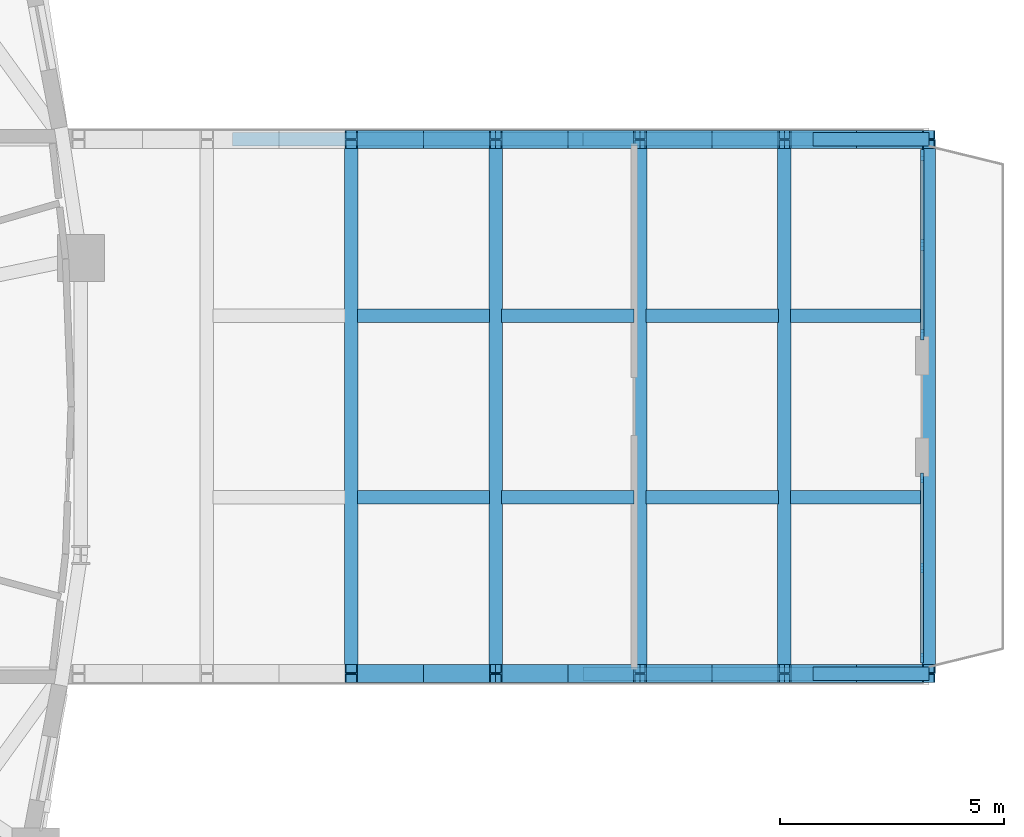
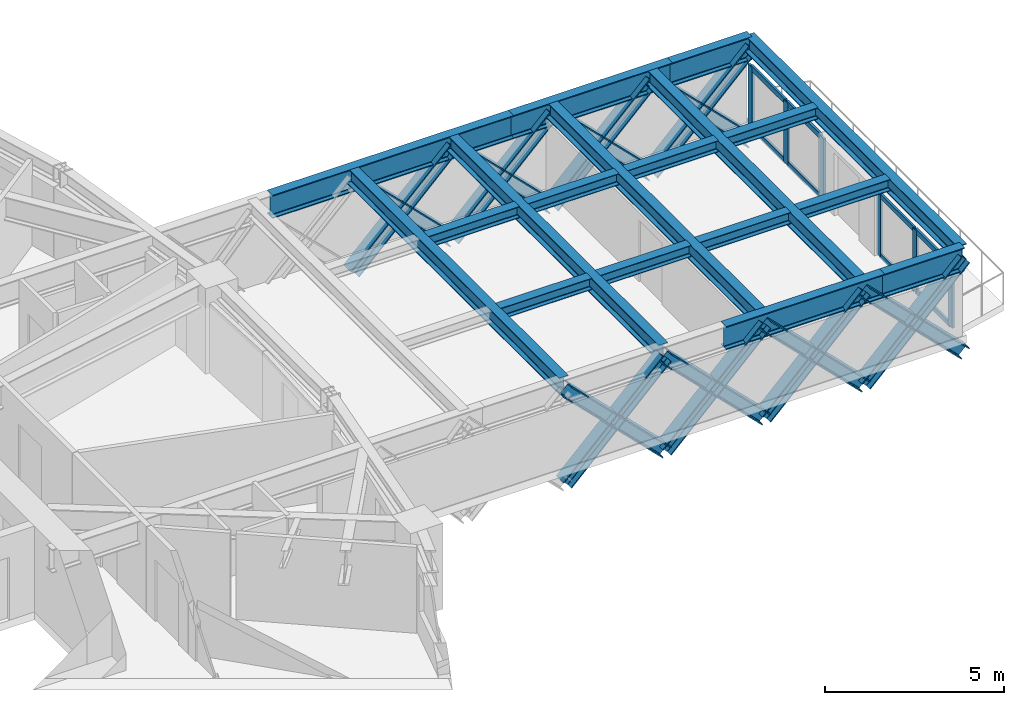
# One storey, part 2 of 16: 30 members, 18 beams, 2 elements without a shape of their own.
"""IFC4 building model written with IfcOpenShell, lengths in metres."""

from ifc_helpers import new_model, si_unit, direction, frame, origin, origin_2d, place, context, subcontext, project, spatial, rectangle, i_section, extrude, source, transform, mapped, material, layer, layer_set, material_profile, profile_set, type_object, element, aggregate, save


model = new_model("IFC4")

# Units and contexts
model_context = context("Model", 3, precision=1e-05, world=origin(), true_north=direction((0.0, 1.0)))
body_context = subcontext(model_context, "Body", "Model", "MODEL_VIEW")
ifc_project = project(units=[si_unit("LENGTHUNIT", "METRE"), si_unit("AREAUNIT", "SQUARE_METRE"), si_unit("VOLUMEUNIT", "CUBIC_METRE"), si_unit("PLANEANGLEUNIT", "RADIAN"), si_unit("MASSUNIT", "GRAM", prefix="KILO")], contexts=[model_context])

# Site, building, storey
site_placement = place(None, origin())
site = spatial("IfcSite", under=ifc_project, at=site_placement, CompositionType="ELEMENT")
building_placement = place(site_placement, origin())
building = spatial("IfcBuilding", under=site, at=building_placement, Name="Qafzar Sky-Pleat Residences", CompositionType="ELEMENT")
storey_placement = place(building_placement, frame((0.0, 0.0, 30.199951171875)))
storey = spatial("IfcBuildingStorey", under=building, at=storey_placement, Name="L08", CompositionType="ELEMENT", Elevation=30.199951171875)

# Beams
ifc_material_1 = material(Name="Steel S460", Category="steel")
ifc_material_profile_1 = material_profile(ifc_material_1, i_section(OverallWidth=0.300048828125, OverallDepth=0.800048828125, WebThickness=0.017578125, FlangeThickness=0.032958984375, FilletRadius=0.030029296875, at=origin_2d()), Name="HEB 800")
ifc_profile_set_1 = profile_set([ifc_material_profile_1], Name="Steel S460")
beam_type_1 = type_object("IfcBeamType", Name="BM-CHORD-HEB800", PredefinedType="BEAM", material=ifc_profile_set_1)
shared_shape_1 = source(origin(), body_context, "Body", "SweptSolid", [
    extrude(i_section(OverallWidth=0.300048828125, OverallDepth=0.800048828125, WebThickness=0.017578125, FlangeThickness=0.032958984375, FilletRadius=0.030029296875, at=origin_2d()), origin(), (0.0, 0.0, 1.0), 7.809814453125),
])
beam_placement = place(storey_placement, frame((49.7451171875, 31.949951171875, 2.532958984375), z_axis=(1.0, 0.0, 0.0), x_axis=(0.0, 1.0, 0.0)))
element("IfcBeam", 1, at=beam_placement, inside=storey, type_object=beam_type_1, Name="L08 SB-1 Truss Chord L2", PredefinedType="BEAM", context=body_context, shape_type="MappedRepresentation", body=[
    mapped(shared_shape_1, transform((0.0, 0.0, 0.0), x_axis=(1.0, 0.0, 0.0), y_axis=(0.0, 1.0, 0.0), z_axis=(0.0, 0.0, 1.0), scale=1.0)),
])
shared_shape_2 = source(origin(), body_context, "Body", "SweptSolid", [
    extrude(i_section(OverallWidth=0.300048828125, OverallDepth=0.800048828125, WebThickness=0.017578125, FlangeThickness=0.032958984375, FilletRadius=0.030029296875, at=origin_2d()), origin(), (0.0, 0.0, 1.0), 5.14208984375),
])
for number, where, z_axis, x_axis, name in (
    (2, (57.544921875, 31.949951171875, 2.532958984375), (1.0, 0.0, 0.0), (0.0, 1.0, 0.0), "L08 SB-1 Truss Chord L3"),
    (3, (57.544921875, 20.050048828125, 2.532958984375), (1.0, 0.0, 0.0), (0.0, 1.0, 0.0), "L08 SB-1 Truss Chord R3"),
):
    element("IfcBeam", number, at=place(storey_placement, frame(where, z_axis=z_axis, x_axis=x_axis)), inside=storey, type_object=beam_type_1, Name=name, PredefinedType="BEAM", context=body_context, shape_type="MappedRepresentation", body=[
        mapped(shared_shape_2, transform((0.0, 0.0, 0.0), x_axis=(1.0, 0.0, 0.0), y_axis=(0.0, 1.0, 0.0), z_axis=(0.0, 0.0, 1.0), scale=1.0)),
    ])
shared_shape_3 = source(origin(), body_context, "Body", "SweptSolid", [
    extrude(i_section(OverallWidth=0.300048828125, OverallDepth=0.800048828125, WebThickness=0.017578125, FlangeThickness=0.032958984375, FilletRadius=0.030029296875, at=origin_2d()), origin(), (0.0, 0.0, 1.0), 2.577392578125),
])
for number, where, z_axis, x_axis, name in (
    (4, (62.677001953125, 31.949951171875, 2.532958984375), (1.0, 0.0, 0.0), (0.0, 1.0, 0.0), "L08 SB-1 Truss Chord L4"),
    (5, (62.677001953125, 20.050048828125, 2.532958984375), (1.0, 0.0, 0.0), (0.0, 1.0, 0.0), "L08 SB-1 Truss Chord R4"),
):
    element("IfcBeam", number, at=place(storey_placement, frame(where, z_axis=z_axis, x_axis=x_axis)), inside=storey, type_object=beam_type_1, Name=name, PredefinedType="BEAM", context=body_context, shape_type="MappedRepresentation", body=[
        mapped(shared_shape_3, transform((0.0, 0.0, 0.0), x_axis=(1.0, 0.0, 0.0), y_axis=(0.0, 1.0, 0.0), z_axis=(0.0, 0.0, 1.0), scale=1.0)),
    ])

# Members
ifc_material_profile_2 = material_profile(ifc_material_1, i_section(OverallWidth=0.40087890625, OverallDepth=0.39892578125, WebThickness=0.02294921875, FlangeThickness=0.035888671875, FilletRadius=0.014892578125, at=origin_2d()), Name="HD 400x314")
ifc_profile_set_2 = profile_set([ifc_material_profile_2], Name="Steel S460")
member_type_1 = type_object("IfcMemberType", Name="MEM-SB-DIAG", PredefinedType="BRACE", material=ifc_profile_set_2)
shared_shape_4 = source(origin(), body_context, "Body", "SweptSolid", [
    extrude(i_section(OverallWidth=0.40087890625, OverallDepth=0.39892578125, WebThickness=0.02294921875, FlangeThickness=0.035888671875, FilletRadius=0.014892578125, at=origin_2d()), origin(), (0.0, 0.0, 1.0), 4.53759765625),
])
for number, where, z_axis, x_axis, name in (
    (6, (55.602294921875, 31.949951171875, -0.6669921875), (0.709014203419, 0.0, 0.705194199743), (0.0, 1.0, 0.0), "L08 SB-1 Truss Web Diagonal L4A"),
    (7, (55.602294921875, 31.949951171875, 2.532958984375), (0.709014203419, 0.0, -0.705194199743), (0.0, 1.0, 0.0), "L08 SB-1 Truss Web Diagonal L4B"),
    (8, (62.037109375, 31.949951171875, -0.6669921875), (0.709014203419, 0.0, 0.705194199743), (0.0, 1.0, 0.0), "L08 SB-1 Truss Web Diagonal L6A"),
    (9, (62.037109375, 31.949951171875, 2.532958984375), (0.709014203419, 0.0, -0.705194199743), (0.0, 1.0, 0.0), "L08 SB-1 Truss Web Diagonal L6B"),
    (10, (55.602294921875, 20.050048828125, -0.6669921875), (0.709014203419, 0.0, 0.705194199743), (0.0, 1.0, 0.0), "L08 SB-1 Truss Web Diagonal R4A"),
    (11, (55.602294921875, 20.050048828125, 2.532958984375), (0.709014203419, 0.0, -0.705194199743), (0.0, 1.0, 0.0), "L08 SB-1 Truss Web Diagonal R4B"),
    (12, (62.037109375, 20.050048828125, -0.6669921875), (0.709014203419, 0.0, 0.705194199743), (0.0, 1.0, 0.0), "L08 SB-1 Truss Web Diagonal R6A"),
    (13, (62.037109375, 20.050048828125, 2.532958984375), (0.709014203419, 0.0, -0.705194199743), (0.0, 1.0, 0.0), "L08 SB-1 Truss Web Diagonal R6B"),
):
    element("IfcMember", number, at=place(storey_placement, frame(where, z_axis=z_axis, x_axis=x_axis)), inside=storey, type_object=member_type_1, Name=name, PredefinedType="BRACE", context=body_context, shape_type="MappedRepresentation", body=[
        mapped(shared_shape_4, transform((0.0, 0.0, 0.0), x_axis=(1.0, 0.0, 0.0), y_axis=(0.0, 1.0, 0.0), z_axis=(0.0, 0.0, 1.0), scale=1.0)),
    ])
shared_shape_5 = source(origin(), body_context, "Body", "SweptSolid", [
    extrude(i_section(OverallWidth=0.40087890625, OverallDepth=0.39892578125, WebThickness=0.02294921875, FlangeThickness=0.035888671875, FilletRadius=0.014892578125, at=origin_2d()), origin(), (0.0, 0.0, 1.0), 4.537841796875),
])
for number, where, z_axis, x_axis, name in (
    (14, (52.384765625, 31.949951171875, -0.6669921875), (0.709040957993, 0.0, 0.705167299219), (0.0, 1.0, 0.0), "L08 SB-1 Truss Web Diagonal L3A"),
    (15, (52.384765625, 31.949951171875, 2.532958984375), (0.709040957993, 0.0, -0.705167299219), (0.0, 1.0, 0.0), "L08 SB-1 Truss Web Diagonal L3B"),
    (16, (58.819580078125, 31.949951171875, -0.6669921875), (0.709040957993, 0.0, 0.705167299219), (0.0, 1.0, 0.0), "L08 SB-1 Truss Web Diagonal L5A"),
    (17, (58.819580078125, 31.949951171875, 2.532958984375), (0.709040957993, 0.0, -0.705167299219), (0.0, 1.0, 0.0), "L08 SB-1 Truss Web Diagonal L5B"),
    (18, (52.384765625, 20.050048828125, -0.6669921875), (0.709040957993, 0.0, 0.705167299219), (0.0, 1.0, 0.0), "L08 SB-1 Truss Web Diagonal R3A"),
    (19, (52.384765625, 20.050048828125, 2.532958984375), (0.709040957993, 0.0, -0.705167299219), (0.0, 1.0, 0.0), "L08 SB-1 Truss Web Diagonal R3B"),
    (20, (58.819580078125, 20.050048828125, -0.6669921875), (0.709040957993, 0.0, 0.705167299219), (0.0, 1.0, 0.0), "L08 SB-1 Truss Web Diagonal R5A"),
    (21, (58.819580078125, 20.050048828125, 2.532958984375), (0.709040957993, 0.0, -0.705167299219), (0.0, 1.0, 0.0), "L08 SB-1 Truss Web Diagonal R5B"),
):
    element("IfcMember", number, at=place(storey_placement, frame(where, z_axis=z_axis, x_axis=x_axis)), inside=storey, type_object=member_type_1, Name=name, PredefinedType="BRACE", context=body_context, shape_type="MappedRepresentation", body=[
        mapped(shared_shape_5, transform((0.0, 0.0, 0.0), x_axis=(1.0, 0.0, 0.0), y_axis=(0.0, 1.0, 0.0), z_axis=(0.0, 0.0, 1.0), scale=1.0)),
    ])

# Beams
ifc_material_2 = material(Name="Steel S355", Category="steel")
ifc_material_profile_3 = material_profile(ifc_material_2, i_section(OverallWidth=0.300048828125, OverallDepth=0.550048828125, WebThickness=0.014892578125, FlangeThickness=0.029052734375, FilletRadius=0.027099609375, at=origin_2d()), Name="HEB 550")
ifc_profile_set_3 = profile_set([ifc_material_profile_3], Name="Steel S355")
beam_type_2 = type_object("IfcBeamType", Name="BM-GIRD-HEB550", PredefinedType="BEAM", material=ifc_profile_set_3)
shared_shape_6 = source(origin(), body_context, "Body", "SweptSolid", [
    extrude(i_section(OverallWidth=0.300048828125, OverallDepth=0.550048828125, WebThickness=0.014892578125, FlangeThickness=0.029052734375, FilletRadius=0.027099609375, at=origin_2d()), origin(), (0.0, 0.0, 1.0), 11.89990234375),
])
for number, where, z_axis, x_axis, name in (
    (22, (52.384765625, 31.949951171875, 2.657958984375), (0.0, -1.0, 0.0), (1.0, 0.0, 0.0), "L08 SB-1 Transverse Girder 2"),
    (23, (55.602294921875, 31.949951171875, 2.657958984375), (0.0, -1.0, 0.0), (1.0, 0.0, 0.0), "L08 SB-1 Transverse Girder 3"),
    (24, (58.819580078125, 31.949951171875, 2.657958984375), (0.0, -1.0, 0.0), (1.0, 0.0, 0.0), "L08 SB-1 Transverse Girder 4"),
    (25, (62.037109375, 31.949951171875, 2.657958984375), (0.0, -1.0, 0.0), (1.0, 0.0, 0.0), "L08 SB-1 Transverse Girder 5"),
    (26, (65.25439453125, 31.949951171875, 2.657958984375), (0.0, -1.0, 0.0), (1.0, 0.0, 0.0), "L08 SB-1 Transverse Girder 6"),
):
    element("IfcBeam", number, at=place(storey_placement, frame(where, z_axis=z_axis, x_axis=x_axis)), inside=storey, type_object=beam_type_2, Name=name, PredefinedType="BEAM", context=body_context, shape_type="MappedRepresentation", body=[
        mapped(shared_shape_6, transform((0.0, 0.0, 0.0), x_axis=(1.0, 0.0, 0.0), y_axis=(0.0, 1.0, 0.0), z_axis=(0.0, 0.0, 1.0), scale=1.0)),
    ])
ifc_material_profile_4 = material_profile(ifc_material_2, i_section(OverallWidth=0.300048828125, OverallDepth=0.389892578125, WebThickness=0.010986328125, FlangeThickness=0.01904296875, FilletRadius=0.027099609375, at=origin_2d()), Name="HEA 400")
ifc_profile_set_4 = profile_set([ifc_material_profile_4], Name="Steel S355")
beam_type_3 = type_object("IfcBeamType", Name="BM-SBJ-HEA400", PredefinedType="JOIST", material=ifc_profile_set_4)
shared_shape_7 = source(origin(), body_context, "Body", "SweptSolid", [
    extrude(i_section(OverallWidth=0.300048828125, OverallDepth=0.389892578125, WebThickness=0.010986328125, FlangeThickness=0.01904296875, FilletRadius=0.027099609375, at=origin_2d()), origin(), (0.0, 0.0, 1.0), 2.947265625),
])
for number, where, z_axis, x_axis, name in (
    (27, (62.172119140625, 23.97705078125, 2.738037109375), (1.0, 0.0, 0.0), (0.0, 1.0, 0.0), "L08 SB-1 Sky-Bar Secondary Deck Joist 6.1"),
    (28, (62.172119140625, 28.02294921875, 2.738037109375), (1.0, 0.0, 0.0), (0.0, 1.0, 0.0), "L08 SB-1 Sky-Bar Secondary Deck Joist 6.2"),
):
    element("IfcBeam", number, at=place(storey_placement, frame(where, z_axis=z_axis, x_axis=x_axis)), inside=storey, type_object=beam_type_3, Name=name, PredefinedType="JOIST", context=body_context, shape_type="MappedRepresentation", body=[
        mapped(shared_shape_7, transform((0.0, 0.0, 0.0), x_axis=(1.0, 0.0, 0.0), y_axis=(0.0, 1.0, 0.0), z_axis=(0.0, 0.0, 1.0), scale=1.0)),
    ])
shared_shape_8 = source(origin(), body_context, "Body", "SweptSolid", [
    extrude(i_section(OverallWidth=0.300048828125, OverallDepth=0.389892578125, WebThickness=0.010986328125, FlangeThickness=0.01904296875, FilletRadius=0.027099609375, at=origin_2d()), origin(), (0.0, 0.0, 1.0), 2.947509765625),
])
for number, where, z_axis, x_axis, name in (
    (29, (52.519775390625, 23.97705078125, 2.738037109375), (1.0, 0.0, 0.0), (0.0, 1.0, 0.0), "L08 SB-1 Sky-Bar Secondary Deck Joist 3.1"),
    (30, (52.519775390625, 28.02294921875, 2.738037109375), (1.0, 0.0, 0.0), (0.0, 1.0, 0.0), "L08 SB-1 Sky-Bar Secondary Deck Joist 3.2"),
    (31, (55.7373046875, 23.97705078125, 2.738037109375), (1.0, 0.0, 0.0), (0.0, 1.0, 0.0), "L08 SB-1 Sky-Bar Secondary Deck Joist 4.1"),
    (32, (55.7373046875, 28.02294921875, 2.738037109375), (1.0, 0.0, 0.0), (0.0, 1.0, 0.0), "L08 SB-1 Sky-Bar Secondary Deck Joist 4.2"),
    (33, (58.95458984375, 23.97705078125, 2.738037109375), (1.0, 0.0, 0.0), (0.0, 1.0, 0.0), "L08 SB-1 Sky-Bar Secondary Deck Joist 5.1"),
    (34, (58.95458984375, 28.02294921875, 2.738037109375), (1.0, 0.0, 0.0), (0.0, 1.0, 0.0), "L08 SB-1 Sky-Bar Secondary Deck Joist 5.2"),
):
    element("IfcBeam", number, at=place(storey_placement, frame(where, z_axis=z_axis, x_axis=x_axis)), inside=storey, type_object=beam_type_3, Name=name, PredefinedType="JOIST", context=body_context, shape_type="MappedRepresentation", body=[
        mapped(shared_shape_8, transform((0.0, 0.0, 0.0), x_axis=(1.0, 0.0, 0.0), y_axis=(0.0, 1.0, 0.0), z_axis=(0.0, 0.0, 1.0), scale=1.0)),
    ])

# Curtain wall, members
ifc_material_3 = material(Name="Anodised bronze aluminium framing", Category="aluminium")
ifc_layer_1 = layer(ifc_material_3, 0.239990234375)
ifc_layer_set_1 = layer_set([ifc_layer_1], Name="Anodised bronze aluminium framing")
curtain_wall_type_1 = type_object("IfcCurtainWallType", Name="CW-SYS-02", PredefinedType="NOTDEFINED", material=ifc_layer_set_1)
curtain_wall_1_placement = place(storey_placement, origin())
curtain_wall_1 = element("IfcCurtainWall", 35, at=curtain_wall_1_placement, inside=storey, type_object=curtain_wall_type_1, Name="L08 CW-02 Curtain Wall CW-L08-SB-1-PROW-L", PredefinedType="NOTDEFINED")
ifc_material_4 = material(Name="Anodised bronze aluminium", Category="aluminium")
ifc_material_profile_5 = material_profile(ifc_material_4, rectangle(XDim=0.074951171875, YDim=0.239990234375, at=origin_2d()), Name="ALU MULLION 75x240")
ifc_profile_set_5 = profile_set([ifc_material_profile_5], Name="Anodised bronze aluminium")
member_type_2 = type_object("IfcMemberType", Name="CWM-02", PredefinedType="MULLION", material=ifc_profile_set_5)
shared_shape_9 = source(origin(), body_context, "Body", "SweptSolid", [
    extrude(rectangle(XDim=0.074951171875, YDim=0.239990234375, at=origin_2d()), origin(), (0.0, 0.0, 1.0), 2.114990234375),
])
member_1_placement = place(storey_placement, frame((65.1044921875, 31.6025390625, 0.0), z_axis=(0.0, 0.0, 1.0), x_axis=(1.0, 0.0, 0.0)))
member_1 = element("IfcMember", 36, at=member_1_placement, type_object=member_type_2, Name="CW-02 mullion 1", PredefinedType="MULLION", context=body_context, shape_type="MappedRepresentation", body=[
    mapped(shared_shape_9, transform((0.0, 0.0, 0.0), x_axis=(1.0, 0.0, 0.0), y_axis=(0.0, 1.0, 0.0), z_axis=(0.0, 0.0, 1.0), scale=1.0)),
])
member_2_placement = place(storey_placement, frame((65.1044921875, 29.60009765625, 0.0), z_axis=(0.0, 0.0, 1.0), x_axis=(1.0, 0.0, 0.0)))
member_2 = element("IfcMember", 37, at=member_2_placement, type_object=member_type_2, Name="CW-02 mullion 2", PredefinedType="MULLION", context=body_context, shape_type="MappedRepresentation", body=[
    mapped(shared_shape_9, transform((0.0, 0.0, 0.0), x_axis=(1.0, 0.0, 0.0), y_axis=(0.0, 1.0, 0.0), z_axis=(0.0, 0.0, 1.0), scale=1.0)),
])
member_3_placement = place(storey_placement, frame((65.1044921875, 27.597412109375, 0.0), z_axis=(0.0, 0.0, 1.0), x_axis=(1.0, 0.0, 0.0)))
member_3 = element("IfcMember", 38, at=member_3_placement, type_object=member_type_2, Name="CW-02 mullion 3", PredefinedType="MULLION", context=body_context, shape_type="MappedRepresentation", body=[
    mapped(shared_shape_9, transform((0.0, 0.0, 0.0), x_axis=(1.0, 0.0, 0.0), y_axis=(0.0, 1.0, 0.0), z_axis=(0.0, 0.0, 1.0), scale=1.0)),
])
ifc_material_profile_6 = material_profile(ifc_material_4, rectangle(XDim=0.074951171875, YDim=0.179931640625, at=origin_2d()), Name="ALU TRANSOM 75x180")
ifc_profile_set_6 = profile_set([ifc_material_profile_6], Name="Anodised bronze aluminium")
member_type_3 = type_object("IfcMemberType", Name="CWT-02", PredefinedType="USERDEFINED", material=ifc_profile_set_6)
shared_shape_10 = source(origin(), body_context, "Body", "SweptSolid", [
    extrude(rectangle(XDim=0.074951171875, YDim=0.179931640625, at=origin_2d()), origin(), (0.0, 0.0, 1.0), 1.927490234375),
])
member_4_placement = place(storey_placement, frame((65.1044921875, 31.56494140625, 0.03759765625), z_axis=(0.0, -1.0, 0.0), x_axis=(1.0, 0.0, 0.0)))
member_4 = element("IfcMember", 39, at=member_4_placement, type_object=member_type_3, Name="CW-02 transom 1.1", ObjectType="TRANSOM", PredefinedType="USERDEFINED", context=body_context, shape_type="MappedRepresentation", body=[
    mapped(shared_shape_10, transform((0.0, 0.0, 0.0), x_axis=(1.0, 0.0, 0.0), y_axis=(0.0, 1.0, 0.0), z_axis=(0.0, 0.0, 1.0), scale=1.0)),
])
member_5_placement = place(storey_placement, frame((65.1044921875, 31.56494140625, 2.07763671875), z_axis=(0.0, -1.0, 0.0), x_axis=(1.0, 0.0, 0.0)))
member_5 = element("IfcMember", 40, at=member_5_placement, type_object=member_type_3, Name="CW-02 transom 1.2", ObjectType="TRANSOM", PredefinedType="USERDEFINED", context=body_context, shape_type="MappedRepresentation", body=[
    mapped(shared_shape_10, transform((0.0, 0.0, 0.0), x_axis=(1.0, 0.0, 0.0), y_axis=(0.0, 1.0, 0.0), z_axis=(0.0, 0.0, 1.0), scale=1.0)),
])
member_6_placement = place(storey_placement, frame((65.1044921875, 29.5625, 0.03759765625), z_axis=(0.0, -1.0, 0.0), x_axis=(1.0, 0.0, 0.0)))
member_6 = element("IfcMember", 41, at=member_6_placement, type_object=member_type_3, Name="CW-02 transom 2.1", ObjectType="TRANSOM", PredefinedType="USERDEFINED", context=body_context, shape_type="MappedRepresentation", body=[
    mapped(shared_shape_10, transform((0.0, 0.0, 0.0), x_axis=(1.0, 0.0, 0.0), y_axis=(0.0, 1.0, 0.0), z_axis=(0.0, 0.0, 1.0), scale=1.0)),
])
member_7_placement = place(storey_placement, frame((65.1044921875, 29.5625, 2.07763671875), z_axis=(0.0, -1.0, 0.0), x_axis=(1.0, 0.0, 0.0)))
member_7 = element("IfcMember", 42, at=member_7_placement, type_object=member_type_3, Name="CW-02 transom 2.2", ObjectType="TRANSOM", PredefinedType="USERDEFINED", context=body_context, shape_type="MappedRepresentation", body=[
    mapped(shared_shape_10, transform((0.0, 0.0, 0.0), x_axis=(1.0, 0.0, 0.0), y_axis=(0.0, 1.0, 0.0), z_axis=(0.0, 0.0, 1.0), scale=1.0)),
])
aggregate(curtain_wall_1, [member_1, member_2, member_3, member_4, member_5, member_6, member_7])

ifc_layer_2 = layer(ifc_material_3, 0.219970703125)
ifc_layer_set_2 = layer_set([ifc_layer_2], Name="Anodised bronze aluminium framing")
curtain_wall_type_2 = type_object("IfcCurtainWallType", Name="CW-SYS-03", PredefinedType="NOTDEFINED", material=ifc_layer_set_2)
curtain_wall_2_placement = place(storey_placement, origin())
curtain_wall_2 = element("IfcCurtainWall", 43, at=curtain_wall_2_placement, inside=storey, type_object=curtain_wall_type_2, Name="L08 CW-03 Curtain Wall CW-L08-SB-1-PROW-R", PredefinedType="NOTDEFINED")
ifc_material_profile_7 = material_profile(ifc_material_4, rectangle(XDim=0.070068359375, YDim=0.219970703125, at=origin_2d()), Name="ALU MULLION 70x220")
ifc_profile_set_7 = profile_set([ifc_material_profile_7], Name="Anodised bronze aluminium")
member_type_4 = type_object("IfcMemberType", Name="CWM-03", PredefinedType="MULLION", material=ifc_profile_set_7)
shared_shape_11 = source(origin(), body_context, "Body", "SweptSolid", [
    extrude(rectangle(XDim=0.070068359375, YDim=0.219970703125, at=origin_2d()), origin(), (0.0, 0.0, 1.0), 2.114990234375),
])
member_8_placement = place(storey_placement, frame((65.1044921875, 24.405029296875, 0.0), z_axis=(0.0, 0.0, 1.0), x_axis=(1.0, 0.0, 0.0)))
member_8 = element("IfcMember", 44, at=member_8_placement, type_object=member_type_4, Name="CW-03 mullion 1", PredefinedType="MULLION", context=body_context, shape_type="MappedRepresentation", body=[
    mapped(shared_shape_11, transform((0.0, 0.0, 0.0), x_axis=(1.0, 0.0, 0.0), y_axis=(0.0, 1.0, 0.0), z_axis=(0.0, 0.0, 1.0), scale=1.0)),
])
member_9_placement = place(storey_placement, frame((65.1044921875, 22.39990234375, 0.0), z_axis=(0.0, 0.0, 1.0), x_axis=(1.0, 0.0, 0.0)))
member_9 = element("IfcMember", 45, at=member_9_placement, type_object=member_type_4, Name="CW-03 mullion 2", PredefinedType="MULLION", context=body_context, shape_type="MappedRepresentation", body=[
    mapped(shared_shape_11, transform((0.0, 0.0, 0.0), x_axis=(1.0, 0.0, 0.0), y_axis=(0.0, 1.0, 0.0), z_axis=(0.0, 0.0, 1.0), scale=1.0)),
])
member_10_placement = place(storey_placement, frame((65.1044921875, 20.39501953125, 0.0), z_axis=(0.0, 0.0, 1.0), x_axis=(1.0, 0.0, 0.0)))
member_10 = element("IfcMember", 46, at=member_10_placement, type_object=member_type_4, Name="CW-03 mullion 3", PredefinedType="MULLION", context=body_context, shape_type="MappedRepresentation", body=[
    mapped(shared_shape_11, transform((0.0, 0.0, 0.0), x_axis=(1.0, 0.0, 0.0), y_axis=(0.0, 1.0, 0.0), z_axis=(0.0, 0.0, 1.0), scale=1.0)),
])
ifc_material_profile_8 = material_profile(ifc_material_4, rectangle(XDim=0.070068359375, YDim=0.1650390625, at=origin_2d()), Name="ALU TRANSOM 70x165")
ifc_profile_set_8 = profile_set([ifc_material_profile_8], Name="Anodised bronze aluminium")
member_type_5 = type_object("IfcMemberType", Name="CWT-03", PredefinedType="USERDEFINED", material=ifc_profile_set_8)
shared_shape_12 = source(origin(), body_context, "Body", "SweptSolid", [
    extrude(rectangle(XDim=0.070068359375, YDim=0.1650390625, at=origin_2d()), origin(), (0.0, 0.0, 1.0), 1.93505859375),
])
member_11_placement = place(storey_placement, frame((65.1044921875, 24.3701171875, 0.03515625), z_axis=(0.0, -1.0, 0.0), x_axis=(1.0, 0.0, 0.0)))
member_11 = element("IfcMember", 47, at=member_11_placement, type_object=member_type_5, Name="CW-03 transom 1.1", ObjectType="TRANSOM", PredefinedType="USERDEFINED", context=body_context, shape_type="MappedRepresentation", body=[
    mapped(shared_shape_12, transform((0.0, 0.0, 0.0), x_axis=(1.0, 0.0, 0.0), y_axis=(0.0, 1.0, 0.0), z_axis=(0.0, 0.0, 1.0), scale=1.0)),
])
member_12_placement = place(storey_placement, frame((65.1044921875, 24.3701171875, 2.080078125), z_axis=(0.0, -1.0, 0.0), x_axis=(1.0, 0.0, 0.0)))
member_12 = element("IfcMember", 48, at=member_12_placement, type_object=member_type_5, Name="CW-03 transom 1.2", ObjectType="TRANSOM", PredefinedType="USERDEFINED", context=body_context, shape_type="MappedRepresentation", body=[
    mapped(shared_shape_12, transform((0.0, 0.0, 0.0), x_axis=(1.0, 0.0, 0.0), y_axis=(0.0, 1.0, 0.0), z_axis=(0.0, 0.0, 1.0), scale=1.0)),
])
member_13_placement = place(storey_placement, frame((65.1044921875, 22.364990234375, 0.03515625), z_axis=(0.0, -1.0, 0.0), x_axis=(1.0, 0.0, 0.0)))
member_13 = element("IfcMember", 49, at=member_13_placement, type_object=member_type_5, Name="CW-03 transom 2.1", ObjectType="TRANSOM", PredefinedType="USERDEFINED", context=body_context, shape_type="MappedRepresentation", body=[
    mapped(shared_shape_12, transform((0.0, 0.0, 0.0), x_axis=(1.0, 0.0, 0.0), y_axis=(0.0, 1.0, 0.0), z_axis=(0.0, 0.0, 1.0), scale=1.0)),
])
member_14_placement = place(storey_placement, frame((65.1044921875, 22.364990234375, 2.080078125), z_axis=(0.0, -1.0, 0.0), x_axis=(1.0, 0.0, 0.0)))
member_14 = element("IfcMember", 50, at=member_14_placement, type_object=member_type_5, Name="CW-03 transom 2.2", ObjectType="TRANSOM", PredefinedType="USERDEFINED", context=body_context, shape_type="MappedRepresentation", body=[
    mapped(shared_shape_12, transform((0.0, 0.0, 0.0), x_axis=(1.0, 0.0, 0.0), y_axis=(0.0, 1.0, 0.0), z_axis=(0.0, 0.0, 1.0), scale=1.0)),
])
aggregate(curtain_wall_2, [member_8, member_9, member_10, member_11, member_12, member_13, member_14])

save(model, "model.ifc")
